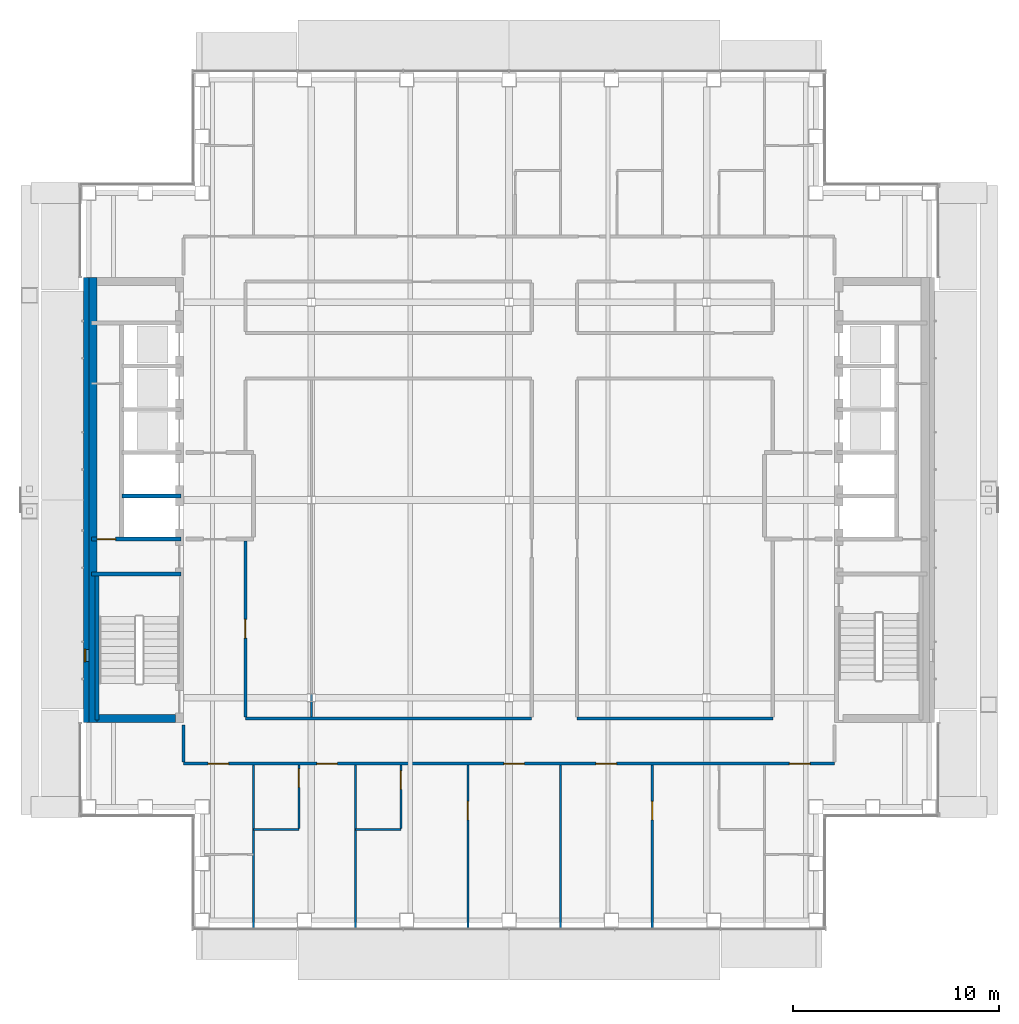
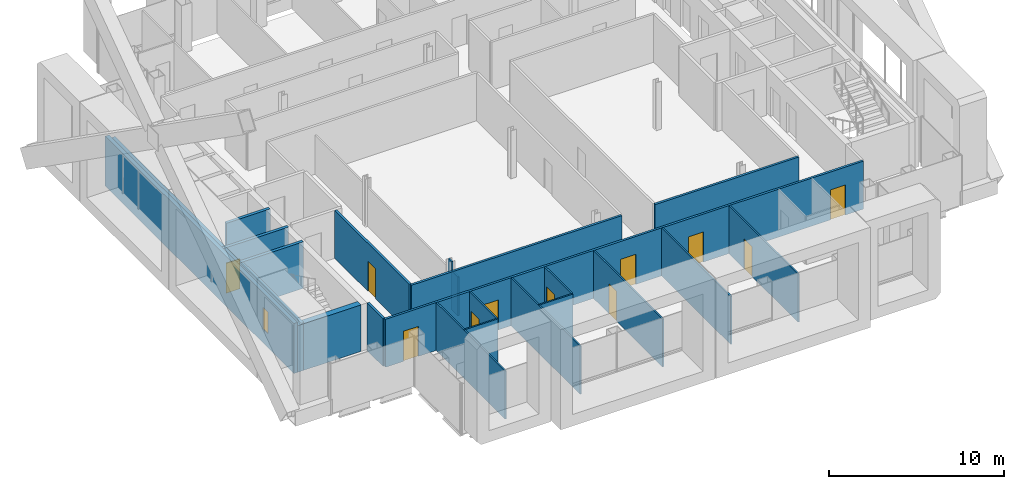
# One storey, part 11 of 21: 23 walls, 11 doors, 1 window, 12 openings.
"""IFC4 building model written with IfcOpenShell, lengths in metres."""

import ifcopenshell
import ifcopenshell.guid

model = None  # the IFC model being written
_history = None  # IfcOwnerHistory: only IFC2X3 demands one
_inside = {}  # id of a spatial element -> (the spatial element, [elements in it])
_under = {}  # id of a project, library or spatial element -> (it, [spatial elements below it])
_declared = {}  # id of a project -> (the project, [libraries it declares])
_typed = {}  # id of a type object -> (the type object, [elements of that type])
_made_of = {}  # id of a material, layer set ... -> (it, [elements and type objects made of it])


def new_model(schema):
    """Start an empty IFC model of exactly this schema.

    Asked for "IFC4X3", IfcOpenShell would pick the latest addendum, in which some entities
    have other attributes; the version numbers below select the first issue.
    IFC2X3 requires an IfcOwnerHistory on every rooted entity: one is made here for all.
    """
    global model, _history
    if schema == "IFC4X3":
        model = ifcopenshell.file(schema_version=(4, 3, 0, 0))
    else:
        model = ifcopenshell.file(schema=schema)
    _inside.clear()
    _under.clear()
    _declared.clear()
    _typed.clear()
    _made_of.clear()
    _history = None
    if model.schema == "IFC2X3":
        org = make("IfcOrganization", Name="unknown")
        user = make(
            "IfcPersonAndOrganization",
            ThePerson=make("IfcPerson", FamilyName="unknown"),
            TheOrganization=org,
        )
        app = make(
            "IfcApplication",
            ApplicationDeveloper=org,
            Version="unknown",
            ApplicationFullName="unknown",
            ApplicationIdentifier="unknown",
        )
        _history = make(
            "IfcOwnerHistory",
            OwningUser=user,
            OwningApplication=app,
            ChangeAction="ADDED",
            CreationDate=0,
        )
    return model


def make(cls, **values):
    """One entity of the class cls with the attributes given. An attribute that is None is left unset."""
    return model.create_entity(
        cls, **{name: value for name, value in values.items() if value is not None}
    )


def rooted(cls, **values):
    """An entity with a GlobalId (a new one), such as an element, a storey or a relation."""
    return make(cls, GlobalId=ifcopenshell.guid.new(), OwnerHistory=_history, **values)


def si_unit(unit_type, name, prefix=None):
    """IfcSIUnit, for example si_unit("LENGTHUNIT", "METRE", prefix="MILLI")."""
    return make("IfcSIUnit", UnitType=unit_type, Prefix=prefix, Name=name)


def assignment(units):
    """IfcUnitAssignment: the units of a project."""
    return None if units is None else make("IfcUnitAssignment", Units=units)


def point(xyz):
    """IfcCartesianPoint."""
    return None if xyz is None else make("IfcCartesianPoint", Coordinates=xyz)


def direction(xyz):
    """IfcDirection."""
    return None if xyz is None else make("IfcDirection", DirectionRatios=xyz)


def frame(location, z_axis=None, x_axis=None):
    """IfcAxis2Placement3D, a coordinate frame: its origin and axes. An axis left out is left unset."""
    return make(
        "IfcAxis2Placement3D",
        Location=point(location),
        Axis=direction(z_axis),
        RefDirection=direction(x_axis),
    )


def frame_2d(location, x_axis=None):
    """IfcAxis2Placement2D, a coordinate frame in the plane: its origin and x axis."""
    return make(
        "IfcAxis2Placement2D", Location=point(location), RefDirection=direction(x_axis)
    )


def origin():
    """The frame at (0, 0, 0) with its axes left unset."""
    return frame((0.0, 0.0, 0.0))


def place(relative_to, where):
    """IfcLocalPlacement: puts the frame where relative to a parent placement (None: the world)."""
    return make(
        "IfcLocalPlacement", PlacementRelTo=relative_to, RelativePlacement=where
    )


def context(
    kind, dimensions, precision=None, world=None, true_north=None, identifier=None
):
    """IfcGeometricRepresentationContext, for example the 3D "Model" context."""
    return make(
        "IfcGeometricRepresentationContext",
        ContextIdentifier=identifier,
        ContextType=kind,
        CoordinateSpaceDimension=dimensions,
        Precision=precision,
        WorldCoordinateSystem=world,
        TrueNorth=true_north,
    )


def subcontext(parent, identifier, kind, view, scale=None):
    """IfcGeometricRepresentationSubContext, for example "Body" below "Model"."""
    return make(
        "IfcGeometricRepresentationSubContext",
        ContextIdentifier=identifier,
        ContextType=kind,
        ParentContext=parent,
        TargetScale=scale,
        TargetView=view,
    )


def project(units=None, contexts=None):
    """IfcProject with its units and contexts."""
    return rooted(
        "IfcProject",
        Name="project",
        RepresentationContexts=contexts,
        UnitsInContext=assignment(units),
    )


def spatial(cls, under=None, at=None, **own):
    """A site, building, storey or space (cls), placed at a placement, below another one or the project."""
    s = rooted(cls, ObjectPlacement=at, **own)
    if under is not None:
        _under.setdefault(under.id(), (under, []))[1].append(s)
    return s


def profile(cls, at=None, kind="AREA", **sizes):
    """A parametric profile (cls). Its sizes go by their IFC names, for example OverallWidth=200.0."""
    return make(cls, ProfileType=kind, Position=at, **sizes)


def rectangle(**sizes):
    """IfcRectangleProfileDef."""
    return profile("IfcRectangleProfileDef", **sizes)


def extrude(swept, where, along, depth):
    """IfcExtrudedAreaSolid: the profile swept, set in the frame where, extruded along a direction by depth."""
    return make(
        "IfcExtrudedAreaSolid",
        SweptArea=swept,
        Position=where,
        ExtrudedDirection=direction(along),
        Depth=depth,
    )


def shape(context_of_items, identifier, shape_type, items):
    """IfcShapeRepresentation: the items that make up one representation, for example the "Body"."""
    return make(
        "IfcShapeRepresentation",
        ContextOfItems=context_of_items,
        RepresentationIdentifier=identifier,
        RepresentationType=shape_type,
        Items=items,
    )


def material(Name=None, Category=None):
    """IfcMaterial."""
    return make("IfcMaterial", Name=Name, Category=Category)


def layer(
    of_material, thickness, ventilated=None, Name=None, Category=None, Priority=None
):
    """IfcMaterialLayer: one layer of a wall or slab, of a material (None: an air gap)."""
    return make(
        "IfcMaterialLayer",
        Material=of_material,
        LayerThickness=thickness,
        IsVentilated=ventilated,
        Name=Name,
        Category=Category,
        Priority=Priority,
    )


def layer_set(layers, Name=None):
    """IfcMaterialLayerSet."""
    return make("IfcMaterialLayerSet", MaterialLayers=layers, LayerSetName=Name)


def made_of(thing, what):
    """Note that an element or type object is made of a material, layer set ...; save() writes the relation."""
    if what is not None:
        _made_of.setdefault(what.id(), (what, []))[1].append(thing)
    return thing


def type_object(cls, material=None, **own):
    """A type object (cls), such as IfcWallType, which elements share."""
    return made_of(rooted(cls, **own), material)


def element(
    cls,
    number,
    at=None,
    inside=None,
    cuts=None,
    type_object=None,
    material=None,
    context=None,
    identifier="Body",
    shape_type=None,
    held_by="IfcProductDefinitionShape",
    body=None,
    shapes=None,
    **own,
):
    """One element of the class cls, such as IfcWall. Its Tag is "e" and its number.

    at: its placement. inside: the storey or other place that contains it. cuts: it is an
    opening in that element (IfcRelVoidsElement). A single representation is given by context,
    identifier, shape_type and body (its items); several are given by shapes. held_by: the class
    of the entity that holds the representations. save() writes the other relations.
    """
    e = rooted(cls, Tag="e%d" % number, ObjectPlacement=at, **own)
    if body is not None:
        shapes = [shape(context, identifier, shape_type, body)]
    if shapes is not None:
        e.Representation = make(held_by, Representations=shapes)
    if inside is not None:
        _inside.setdefault(inside.id(), (inside, []))[1].append(e)
    if cuts is not None:
        rooted(
            "IfcRelVoidsElement", RelatingBuildingElement=cuts, RelatedOpeningElement=e
        )
    if type_object is not None:
        _typed.setdefault(type_object.id(), (type_object, []))[1].append(e)
    return made_of(e, material)


def fill(opening, filler):
    """IfcRelFillsElement: the door or window that sits in an opening."""
    return rooted(
        "IfcRelFillsElement",
        RelatingOpeningElement=opening,
        RelatedBuildingElement=filler,
    )


def aggregate(whole, parts):
    """IfcRelAggregates: a whole, such as a stair, and the parts it consists of."""
    return rooted("IfcRelAggregates", RelatingObject=whole, RelatedObjects=parts)


def save(model, path):
    """Write the relations noted so far, then the file.

    IfcRelAggregates (storeys below a building ...), IfcRelContainedInSpatialStructure (elements
    in a storey), IfcRelDefinesByType, IfcRelAssociatesMaterial and IfcRelDeclares: one each for
    every whole, place, type object, material and project.
    """
    for whole, parts in _under.values():
        aggregate(whole, parts)
    for where, things in _inside.values():
        rooted(
            "IfcRelContainedInSpatialStructure",
            RelatedElements=things,
            RelatingStructure=where,
        )
    for kind, things in _typed.values():
        rooted("IfcRelDefinesByType", RelatedObjects=things, RelatingType=kind)
    for what, things in _made_of.values():
        rooted("IfcRelAssociatesMaterial", RelatedObjects=things, RelatingMaterial=what)
    for by, libraries in _declared.values():
        rooted("IfcRelDeclares", RelatingContext=by, RelatedDefinitions=libraries)
    model.write(path)


model = new_model("IFC4")

# Units and contexts
model_context = context("Model", 3, precision=1e-05, world=origin(), true_north=direction((0.0, 1.0)))
body_context = subcontext(model_context, "Body", "Model", "MODEL_VIEW")
ifc_project = project(units=[si_unit("LENGTHUNIT", "METRE"), si_unit("AREAUNIT", "SQUARE_METRE"), si_unit("VOLUMEUNIT", "CUBIC_METRE"), si_unit("PLANEANGLEUNIT", "RADIAN"), si_unit("MASSUNIT", "GRAM", prefix="KILO")], contexts=[model_context])

# Site, building, storey
site_placement = place(None, origin())
site = spatial("IfcSite", under=ifc_project, at=site_placement, CompositionType="ELEMENT")
building_placement = place(site_placement, origin())
building = spatial("IfcBuilding", under=site, at=building_placement, Name="Cobrizo Arcos Hotel Tower", CompositionType="ELEMENT")
storey_placement = place(building_placement, frame((0.0, 0.0, 212.0)))
storey = spatial("IfcBuildingStorey", under=building, at=storey_placement, Name="L55", CompositionType="ELEMENT", Elevation=212.0)

# Wall, openings, doors
ifc_material_1 = material(Name="Gypsum board partition")
ifc_layer_1 = layer(ifc_material_1, 0.14990234375)
ifc_layer_set_1 = layer_set([ifc_layer_1], Name="Corridor wall EI 60 150")
wall_type_1 = type_object("IfcWallType", Name="Corridor wall EI 60 150", PredefinedType="PARTITIONING", material=ifc_layer_set_1)
wall_1_placement = place(storey_placement, frame((-15.800048828125, -12.800048828125, 0.0), z_axis=(0.0, 0.0, 1.0), x_axis=(1.0, 0.0, 0.0)))
wall_1 = element("IfcWall", 1, at=wall_1_placement, inside=storey, type_object=wall_type_1, Name="Partition 006", PredefinedType="PARTITIONING", context=body_context, shape_type="SweptSolid", body=[
    extrude(rectangle(XDim=31.60009765625, YDim=0.14990234375, at=frame_2d((15.800048828125, 0.0))), origin(), (0.0, 0.0, 1.0), 3.35009765625),
])
opening_1_placement = place(wall_1_placement, frame((6.466064453125, 0.0, 0.0)))
opening_1 = element("IfcOpeningElement", 2, at=opening_1_placement, cuts=wall_1, Name="Opening GD-04", PredefinedType="OPENING", context=body_context, shape_type="SweptSolid", body=[
    extrude(rectangle(XDim=1.0, YDim=2.10009765625, at=frame_2d((0.5, 1.050048828125))), frame((0.0, 0.0869140625, 0.0), z_axis=(0.0, -1.0, 0.0), x_axis=(1.0, 0.0, 0.0)), (0.0, 0.0, 1.0), 0.173828125),
])
opening_2_placement = place(wall_1_placement, frame((15.548095703125, 0.0, 0.0)))
opening_2 = element("IfcOpeningElement", 3, at=opening_2_placement, cuts=wall_1, Name="Opening GD-05", PredefinedType="OPENING", context=body_context, shape_type="SweptSolid", body=[
    extrude(rectangle(XDim=1.0, YDim=2.10009765625, at=frame_2d((0.5, 1.050048828125))), frame((0.0, 0.0869140625, 0.0), z_axis=(0.0, -1.0, 0.0), x_axis=(1.0, 0.0, 0.0)), (0.0, 0.0, 1.0), 0.173828125),
])
opening_3_placement = place(wall_1_placement, frame((20.01806640625, 0.0, 0.0)))
opening_3 = element("IfcOpeningElement", 4, at=opening_3_placement, cuts=wall_1, Name="Opening GD-06", PredefinedType="OPENING", context=body_context, shape_type="SweptSolid", body=[
    extrude(rectangle(XDim=1.0, YDim=2.10009765625, at=frame_2d((0.5, 1.050048828125))), frame((0.0, 0.0869140625, 0.0), z_axis=(0.0, -1.0, 0.0), x_axis=(1.0, 0.0, 0.0)), (0.0, 0.0, 1.0), 0.173828125),
])
opening_4_placement = place(wall_1_placement, frame((1.19189453125, 0.0, 0.0)))
opening_4 = element("IfcOpeningElement", 5, at=opening_4_placement, cuts=wall_1, Name="Opening GD-07", PredefinedType="OPENING", context=body_context, shape_type="SweptSolid", body=[
    extrude(rectangle(XDim=1.0, YDim=2.10009765625, at=frame_2d((0.5, 1.050048828125))), frame((0.0, 0.0869140625, 0.0), z_axis=(0.0, -1.0, 0.0), x_axis=(1.0, 0.0, 0.0)), (0.0, 0.0, 1.0), 0.173828125),
])
opening_5_placement = place(wall_1_placement, frame((29.408935546875, 0.0, 0.0)))
opening_5 = element("IfcOpeningElement", 6, at=opening_5_placement, cuts=wall_1, Name="Opening GD-09", PredefinedType="OPENING", context=body_context, shape_type="SweptSolid", body=[
    extrude(rectangle(XDim=1.0, YDim=2.10009765625, at=frame_2d((0.5, 1.050048828125))), frame((0.0, 0.0869140625, 0.0), z_axis=(0.0, -1.0, 0.0), x_axis=(1.0, 0.0, 0.0)), (0.0, 0.0, 1.0), 0.173828125),
])
ifc_material_2 = material(Name="Timber door leaf", Category="wood")
door_type_1 = type_object("IfcDoorType", Name="Guest room door FD30S 1000x2100", OperationType="SINGLE_SWING_LEFT", PredefinedType="DOOR", material=ifc_material_2)
door_1_placement = place(opening_1_placement, origin())
door_1 = element("IfcDoor", 7, at=door_1_placement, inside=storey, type_object=door_type_1, Name="Door GD-04", OperationType="SINGLE_SWING_LEFT", OverallHeight=2.10009765625, OverallWidth=1.0, PredefinedType="DOOR", context=body_context, shape_type="SweptSolid", body=[
    extrude(rectangle(XDim=1.0, YDim=2.10009765625, at=frame_2d((0.5, 1.050048828125))), frame((0.0, 0.02490234375, 0.0), z_axis=(0.0, -1.0, 0.0), x_axis=(1.0, 0.0, 0.0)), (0.0, 0.0, 1.0), 0.050048828125),
])
fill(opening_1, door_1)
door_2_placement = place(opening_2_placement, origin())
door_2 = element("IfcDoor", 8, at=door_2_placement, inside=storey, type_object=door_type_1, Name="Door GD-05", OperationType="SINGLE_SWING_RIGHT", OverallHeight=2.10009765625, OverallWidth=1.0, PredefinedType="DOOR", context=body_context, shape_type="SweptSolid", body=[
    extrude(rectangle(XDim=1.0, YDim=2.10009765625, at=frame_2d((0.5, 1.050048828125))), frame((0.0, 0.02490234375, 0.0), z_axis=(0.0, -1.0, 0.0), x_axis=(1.0, 0.0, 0.0)), (0.0, 0.0, 1.0), 0.050048828125),
])
fill(opening_2, door_2)
door_3_placement = place(opening_3_placement, origin())
door_3 = element("IfcDoor", 9, at=door_3_placement, inside=storey, type_object=door_type_1, Name="Door GD-06", OperationType="SINGLE_SWING_LEFT", OverallHeight=2.10009765625, OverallWidth=1.0, PredefinedType="DOOR", context=body_context, shape_type="SweptSolid", body=[
    extrude(rectangle(XDim=1.0, YDim=2.10009765625, at=frame_2d((0.5, 1.050048828125))), frame((0.0, 0.02490234375, 0.0), z_axis=(0.0, -1.0, 0.0), x_axis=(1.0, 0.0, 0.0)), (0.0, 0.0, 1.0), 0.050048828125),
])
fill(opening_3, door_3)
door_4_placement = place(opening_4_placement, origin())
door_4 = element("IfcDoor", 10, at=door_4_placement, inside=storey, type_object=door_type_1, Name="Door GD-07", OperationType="SINGLE_SWING_RIGHT", OverallHeight=2.10009765625, OverallWidth=1.0, PredefinedType="DOOR", context=body_context, shape_type="SweptSolid", body=[
    extrude(rectangle(XDim=1.0, YDim=2.10009765625, at=frame_2d((0.5, 1.050048828125))), frame((0.0, 0.02490234375, 0.0), z_axis=(0.0, -1.0, 0.0), x_axis=(1.0, 0.0, 0.0)), (0.0, 0.0, 1.0), 0.050048828125),
])
fill(opening_4, door_4)
door_5_placement = place(opening_5_placement, origin())
door_5 = element("IfcDoor", 11, at=door_5_placement, inside=storey, type_object=door_type_1, Name="Door GD-09", OperationType="SINGLE_SWING_LEFT", OverallHeight=2.10009765625, OverallWidth=1.0, PredefinedType="DOOR", context=body_context, shape_type="SweptSolid", body=[
    extrude(rectangle(XDim=1.0, YDim=2.10009765625, at=frame_2d((0.5, 1.050048828125))), frame((0.0, 0.02490234375, 0.0), z_axis=(0.0, -1.0, 0.0), x_axis=(1.0, 0.0, 0.0)), (0.0, 0.0, 1.0), 0.050048828125),
])
fill(opening_5, door_5)

# Walls
wall_2_placement = place(storey_placement, frame((-12.800048828125, -10.60009765625, 0.0), z_axis=(0.0, 0.0, 1.0), x_axis=(1.0, 0.0, 0.0)))
element("IfcWall", 12, at=wall_2_placement, inside=storey, type_object=wall_type_1, Name="Partition 007", PredefinedType="PARTITIONING", context=body_context, shape_type="SweptSolid", body=[
    extrude(rectangle(XDim=13.900146484375, YDim=0.14990234375, at=frame_2d((6.9501953125, 0.0))), origin(), (0.0, 0.0, 1.0), 3.35009765625),
])
wall_3_placement = place(storey_placement, frame((3.300048828125, -10.60009765625, 0.0), z_axis=(0.0, 0.0, 1.0), x_axis=(1.0, 0.0, 0.0)))
element("IfcWall", 13, at=wall_3_placement, inside=storey, type_object=wall_type_1, Name="Partition 008", PredefinedType="PARTITIONING", context=body_context, shape_type="SweptSolid", body=[
    extrude(rectangle(XDim=9.5, YDim=0.14990234375, at=frame_2d((4.75, 0.0))), origin(), (0.0, 0.0, 1.0), 3.35009765625),
])
wall_4_placement = place(storey_placement, frame((-15.800048828125, -12.72509765625, 0.0), z_axis=(0.0, 0.0, 1.0), x_axis=(0.0, 1.0, 0.0)))
element("IfcWall", 14, at=wall_4_placement, inside=storey, type_object=wall_type_1, Name="Partition 043", PredefinedType="PARTITIONING", context=body_context, shape_type="SweptSolid", body=[
    extrude(rectangle(XDim=1.80517578125, YDim=0.14990234375, at=frame_2d((0.902587890625, 0.0))), origin(), (0.0, 0.0, 1.0), 3.35009765625),
])

# Wall, opening, door
wall_5_placement = place(storey_placement, frame((-12.800048828125, -10.52490234375, 0.0), z_axis=(0.0, 0.0, 1.0), x_axis=(0.0, 1.0, 0.0)))
wall_5 = element("IfcWall", 15, at=wall_5_placement, inside=storey, type_object=wall_type_1, Name="Partition 045", PredefinedType="PARTITIONING", context=body_context, shape_type="SweptSolid", body=[
    extrude(rectangle(XDim=8.52490234375, YDim=0.14990234375, at=frame_2d((4.262451171875, 0.0))), origin(), (0.0, 0.0, 1.0), 3.35009765625),
])
opening_6_placement = place(wall_5_placement, frame((3.824951171875, 0.0, 0.0)))
opening_6 = element("IfcOpeningElement", 16, at=opening_6_placement, cuts=wall_5, Name="Opening RD-11", PredefinedType="OPENING", context=body_context, shape_type="SweptSolid", body=[
    extrude(rectangle(XDim=0.89990234375, YDim=2.10009765625, at=frame_2d((0.449951171875, 1.050048828125))), frame((0.0, 0.0869140625, 0.0), z_axis=(0.0, -1.0, 0.0), x_axis=(1.0, 0.0, 0.0)), (0.0, 0.0, 1.0), 0.173828125),
])
door_type_2 = type_object("IfcDoorType", Name="Room door FD30 900x2100", OperationType="SINGLE_SWING_LEFT", PredefinedType="DOOR", material=ifc_material_2)
door_6_placement = place(opening_6_placement, origin())
door_6 = element("IfcDoor", 17, at=door_6_placement, inside=storey, type_object=door_type_2, Name="Door RD-11", OperationType="SINGLE_SWING_LEFT", OverallHeight=2.10009765625, OverallWidth=0.89990234375, PredefinedType="DOOR", context=body_context, shape_type="SweptSolid", body=[
    extrude(rectangle(XDim=0.89990234375, YDim=2.10009765625, at=frame_2d((0.449951171875, 1.050048828125))), frame((0.0, 0.02490234375, 0.0), z_axis=(0.0, -1.0, 0.0), x_axis=(1.0, 0.0, 0.0)), (0.0, 0.0, 1.0), 0.050048828125),
])
fill(opening_6, door_6)

# Wall, opening, window
ifc_material_3 = material(Name="Aluminium composite panel pale metal", Category="aluminium")
ifc_layer_2 = layer(ifc_material_3, 0.25)
ifc_layer_set_2 = layer_set([ifc_layer_2], Name="EW-1 insulated panel wall 250")
wall_type_2 = type_object("IfcWallType", Name="EW-1 insulated panel wall 250", PredefinedType="SOLIDWALL", material=ifc_layer_set_2)
wall_6_placement = place(storey_placement, frame((-20.52490234375, 10.800048828125, 0.0), z_axis=(0.0, 0.0, 1.0), x_axis=(0.0, -1.0, 0.0)))
wall_6 = element("IfcWall", 18, at=wall_6_placement, inside=storey, type_object=wall_type_2, Name="Core face wall L55 W", PredefinedType="SOLIDWALL", context=body_context, shape_type="SweptSolid", body=[
    extrude(rectangle(XDim=21.60009765625, YDim=0.25, at=frame_2d((10.800048828125, 0.0))), origin(), (0.0, 0.0, 1.0), 3.5),
])
opening_7_placement = place(wall_6_placement, frame((18.050048828125, 0.0, 1.0)))
opening_7 = element("IfcOpeningElement", 19, at=opening_7_placement, cuts=wall_6, Name="Opening W-124", PredefinedType="OPENING", context=body_context, shape_type="SweptSolid", body=[
    extrude(rectangle(XDim=0.60009765625, YDim=1.5, at=frame_2d((0.300048828125, 0.75))), frame((0.0, 0.136962890625, 0.0), z_axis=(0.0, -1.0, 0.0), x_axis=(1.0, 0.0, 0.0)), (0.0, 0.0, 1.0), 0.27392578125),
])
ifc_material_4 = material(Name="Aluminium 6063-T6 and clear laminated glass", Category="aluminium")
window_type = type_object("IfcWindowType", Name="W-C1 core stair slot window 600x1500", PartitioningType="SINGLE_PANEL", PredefinedType="WINDOW", material=ifc_material_4)
window_placement = place(opening_7_placement, origin())
window = element("IfcWindow", 20, at=window_placement, inside=storey, type_object=window_type, Name="Core face wall L55 W window W-124", OverallHeight=1.5, OverallWidth=0.60009765625, PartitioningType="SINGLE_PANEL", PredefinedType="WINDOW", context=body_context, shape_type="SweptSolid", body=[
    extrude(rectangle(XDim=0.60009765625, YDim=1.5, at=frame_2d((0.300048828125, 0.75))), frame((0.0, -0.034912109375, 0.0), z_axis=(0.0, -1.0, 0.0), x_axis=(1.0, 0.0, 0.0)), (0.0, 0.0, 1.0), 0.06005859375),
])
fill(opening_7, window)

# Walls
ifc_layer_3 = layer(ifc_material_1, 0.10009765625)
ifc_layer_set_3 = layer_set([ifc_layer_3], Name="Partition EI 30 100")
wall_type_3 = type_object("IfcWallType", Name="Partition EI 30 100", PredefinedType="PARTITIONING", material=ifc_layer_set_3)
for number, where, z_axis, x_axis, name in (
    (21, (-12.39990234375, -16.0, 0.0), (0.0, 0.0, 1.0), (1.0, 0.0, 0.0), "Partition 003"),
    (22, (-7.449951171875, -16.0, 0.0), (0.0, 0.0, 1.0), (1.0, 0.0, 0.0), "Partition 004"),
):
    element("IfcWall", number, at=place(storey_placement, frame(where, z_axis=z_axis, x_axis=x_axis)), inside=storey, type_object=wall_type_3, Name=name, PredefinedType="PARTITIONING", context=body_context, shape_type="SweptSolid", body=[
        extrude(rectangle(XDim=2.199951171875, YDim=0.10009765625, at=frame_2d((1.10009765625, 0.0))), origin(), (0.0, 0.0, 1.0), 3.35009765625),
    ])
wall_7_placement = place(storey_placement, frame((-12.39990234375, -20.780029296875, 0.0), z_axis=(0.0, 0.0, 1.0), x_axis=(0.0, 1.0, 0.0)))
element("IfcWall", 23, at=wall_7_placement, inside=storey, type_object=wall_type_3, Name="Partition 048", PredefinedType="PARTITIONING", context=body_context, shape_type="SweptSolid", body=[
    extrude(rectangle(XDim=7.905029296875, YDim=0.10009765625, at=frame_2d((3.95263671875, 0.0))), origin(), (0.0, 0.0, 1.0), 3.35009765625),
])

# Wall, opening, door
wall_8_placement = place(storey_placement, frame((-10.199951171875, -15.949951171875, 0.0), z_axis=(0.0, 0.0, 1.0), x_axis=(0.0, 1.0, 0.0)))
wall_8 = element("IfcWall", 24, at=wall_8_placement, inside=storey, type_object=wall_type_3, Name="Partition 051", PredefinedType="PARTITIONING", context=body_context, shape_type="SweptSolid", body=[
    extrude(rectangle(XDim=3.074951171875, YDim=0.10009765625, at=frame_2d((1.53759765625, 0.0))), origin(), (0.0, 0.0, 1.0), 3.35009765625),
])
opening_8_placement = place(wall_8_placement, frame((1.99609375, 0.0, 0.0)))
opening_8 = element("IfcOpeningElement", 25, at=opening_8_placement, cuts=wall_8, Name="Opening ED-05", PredefinedType="OPENING", context=body_context, shape_type="SweptSolid", body=[
    extrude(rectangle(XDim=0.89990234375, YDim=2.10009765625, at=frame_2d((0.449951171875, 1.050048828125))), frame((0.0, 0.06201171875, 0.0), z_axis=(0.0, -1.0, 0.0), x_axis=(1.0, 0.0, 0.0)), (0.0, 0.0, 1.0), 0.1240234375),
])
door_type_3 = type_object("IfcDoorType", Name="En-suite door 900x2100", OperationType="SINGLE_SWING_LEFT", PredefinedType="DOOR", material=ifc_material_2)
door_7_placement = place(opening_8_placement, origin())
door_7 = element("IfcDoor", 26, at=door_7_placement, inside=storey, type_object=door_type_3, Name="Door ED-05", OperationType="SINGLE_SWING_LEFT", OverallHeight=2.10009765625, OverallWidth=0.89990234375, PredefinedType="DOOR", context=body_context, shape_type="SweptSolid", body=[
    extrude(rectangle(XDim=0.89990234375, YDim=2.10009765625, at=frame_2d((0.449951171875, 1.050048828125))), frame((0.0, 0.02490234375, 0.0), z_axis=(0.0, -1.0, 0.0), x_axis=(1.0, 0.0, 0.0)), (0.0, 0.0, 1.0), 0.050048828125),
])
fill(opening_8, door_7)

# Walls
wall_9_placement = place(storey_placement, frame((-9.60009765625, -10.52490234375, 0.0), z_axis=(0.0, 0.0, 1.0), x_axis=(0.0, 1.0, 0.0)))
element("IfcWall", 27, at=wall_9_placement, inside=storey, type_object=wall_type_3, Name="Partition 052", PredefinedType="PARTITIONING", context=body_context, shape_type="SweptSolid", body=[
    extrude(rectangle(XDim=0.73779296875, YDim=0.10009765625, at=frame_2d((0.368896484375, 0.0))), origin(), (0.0, 0.0, 1.0), 2.72802734375),
])
wall_10_placement = place(storey_placement, frame((-9.60009765625, -9.787109375, 0.0), z_axis=(0.0, 0.0, 1.0), x_axis=(0.0, 1.0, 0.0)))
element("IfcWall", 28, at=wall_10_placement, inside=storey, type_object=wall_type_3, Name="Partition 053", PredefinedType="PARTITIONING", context=body_context, shape_type="SweptSolid", body=[
    extrude(rectangle(XDim=0.3740234375, YDim=0.10009765625, at=frame_2d((0.18701171875, 0.0))), origin(), (0.0, 0.0, 1.0), 3.35009765625),
])
wall_11_placement = place(storey_placement, frame((-7.449951171875, -20.780029296875, 0.0), z_axis=(0.0, 0.0, 1.0), x_axis=(0.0, 1.0, 0.0)))
element("IfcWall", 29, at=wall_11_placement, inside=storey, type_object=wall_type_3, Name="Partition 057", PredefinedType="PARTITIONING", context=body_context, shape_type="SweptSolid", body=[
    extrude(rectangle(XDim=7.905029296875, YDim=0.10009765625, at=frame_2d((3.95263671875, 0.0))), origin(), (0.0, 0.0, 1.0), 3.35009765625),
])

# Wall, opening, door
wall_12_placement = place(storey_placement, frame((-5.25, -15.949951171875, 0.0), z_axis=(0.0, 0.0, 1.0), x_axis=(0.0, 1.0, 0.0)))
wall_12 = element("IfcWall", 30, at=wall_12_placement, inside=storey, type_object=wall_type_3, Name="Partition 059", PredefinedType="PARTITIONING", context=body_context, shape_type="SweptSolid", body=[
    extrude(rectangle(XDim=3.074951171875, YDim=0.10009765625, at=frame_2d((1.53759765625, 0.0))), origin(), (0.0, 0.0, 1.0), 3.35009765625),
])
opening_9_placement = place(wall_12_placement, frame((1.89990234375, 0.0, 0.0)))
opening_9 = element("IfcOpeningElement", 31, at=opening_9_placement, cuts=wall_12, Name="Opening ED-06", PredefinedType="OPENING", context=body_context, shape_type="SweptSolid", body=[
    extrude(rectangle(XDim=0.89990234375, YDim=2.10009765625, at=frame_2d((0.449951171875, 1.050048828125))), frame((0.0, 0.06201171875, 0.0), z_axis=(0.0, -1.0, 0.0), x_axis=(1.0, 0.0, 0.0)), (0.0, 0.0, 1.0), 0.1240234375),
])
door_8_placement = place(opening_9_placement, origin())
door_8 = element("IfcDoor", 32, at=door_8_placement, inside=storey, type_object=door_type_3, Name="Door ED-06", OperationType="SINGLE_SWING_LEFT", OverallHeight=2.10009765625, OverallWidth=0.89990234375, PredefinedType="DOOR", context=body_context, shape_type="SweptSolid", body=[
    extrude(rectangle(XDim=0.89990234375, YDim=2.10009765625, at=frame_2d((0.449951171875, 1.050048828125))), frame((0.0, 0.02490234375, 0.0), z_axis=(0.0, -1.0, 0.0), x_axis=(1.0, 0.0, 0.0)), (0.0, 0.0, 1.0), 0.050048828125),
])
fill(opening_9, door_8)

wall_13_placement = place(storey_placement, frame((-2.0, -20.780029296875, 0.0), z_axis=(0.0, 0.0, 1.0), x_axis=(0.0, 1.0, 0.0)))
wall_13 = element("IfcWall", 33, at=wall_13_placement, inside=storey, type_object=wall_type_3, Name="Partition 061", PredefinedType="PARTITIONING", context=body_context, shape_type="SweptSolid", body=[
    extrude(rectangle(XDim=7.905029296875, YDim=0.10009765625, at=frame_2d((3.95263671875, 0.0))), origin(), (0.0, 0.0, 1.0), 3.35009765625),
])
opening_10_placement = place(wall_13_placement, frame((5.25, 0.0, 0.0)))
opening_10 = element("IfcOpeningElement", 34, at=opening_10_placement, cuts=wall_13, Name="Opening RD-08", PredefinedType="OPENING", context=body_context, shape_type="SweptSolid", body=[
    extrude(rectangle(XDim=0.89990234375, YDim=2.10009765625, at=frame_2d((0.449951171875, 1.050048828125))), frame((0.0, 0.06201171875, 0.0), z_axis=(0.0, -1.0, 0.0), x_axis=(1.0, 0.0, 0.0)), (0.0, 0.0, 1.0), 0.1240234375),
])
door_9_placement = place(opening_10_placement, origin())
door_9 = element("IfcDoor", 35, at=door_9_placement, inside=storey, type_object=door_type_2, Name="Door RD-08", OperationType="SINGLE_SWING_LEFT", OverallHeight=2.10009765625, OverallWidth=0.89990234375, PredefinedType="DOOR", context=body_context, shape_type="SweptSolid", body=[
    extrude(rectangle(XDim=0.89990234375, YDim=2.10009765625, at=frame_2d((0.449951171875, 1.050048828125))), frame((0.0, 0.02490234375, 0.0), z_axis=(0.0, -1.0, 0.0), x_axis=(1.0, 0.0, 0.0)), (0.0, 0.0, 1.0), 0.050048828125),
])
fill(opening_10, door_9)

# Wall
wall_14_placement = place(storey_placement, frame((2.5, -20.780029296875, 0.0), z_axis=(0.0, 0.0, 1.0), x_axis=(0.0, 1.0, 0.0)))
element("IfcWall", 36, at=wall_14_placement, inside=storey, type_object=wall_type_3, Name="Partition 065", PredefinedType="PARTITIONING", context=body_context, shape_type="SweptSolid", body=[
    extrude(rectangle(XDim=7.905029296875, YDim=0.10009765625, at=frame_2d((3.95263671875, 0.0))), origin(), (0.0, 0.0, 1.0), 3.35009765625),
])

# Wall, opening, door
wall_15_placement = place(storey_placement, frame((6.949951171875, -20.780029296875, 0.0), z_axis=(0.0, 0.0, 1.0), x_axis=(0.0, 1.0, 0.0)))
wall_15 = element("IfcWall", 37, at=wall_15_placement, inside=storey, type_object=wall_type_3, Name="Partition 070", PredefinedType="PARTITIONING", context=body_context, shape_type="SweptSolid", body=[
    extrude(rectangle(XDim=7.905029296875, YDim=0.10009765625, at=frame_2d((3.95263671875, 0.0))), origin(), (0.0, 0.0, 1.0), 3.35009765625),
])
opening_11_placement = place(wall_15_placement, frame((5.25, 0.0, 0.0)))
opening_11 = element("IfcOpeningElement", 38, at=opening_11_placement, cuts=wall_15, Name="Opening RD-09", PredefinedType="OPENING", context=body_context, shape_type="SweptSolid", body=[
    extrude(rectangle(XDim=0.89990234375, YDim=2.10009765625, at=frame_2d((0.449951171875, 1.050048828125))), frame((0.0, 0.06201171875, 0.0), z_axis=(0.0, -1.0, 0.0), x_axis=(1.0, 0.0, 0.0)), (0.0, 0.0, 1.0), 0.1240234375),
])
door_10_placement = place(opening_11_placement, origin())
door_10 = element("IfcDoor", 39, at=door_10_placement, inside=storey, type_object=door_type_2, Name="Door RD-09", OperationType="SINGLE_SWING_RIGHT", OverallHeight=2.10009765625, OverallWidth=0.89990234375, PredefinedType="DOOR", context=body_context, shape_type="SweptSolid", body=[
    extrude(rectangle(XDim=0.89990234375, YDim=2.10009765625, at=frame_2d((0.449951171875, 1.050048828125))), frame((0.0, 0.02490234375, 0.0), z_axis=(0.0, -1.0, 0.0), x_axis=(1.0, 0.0, 0.0)), (0.0, 0.0, 1.0), 0.050048828125),
])
fill(opening_11, door_10)

# Walls
ifc_material_5 = material(Name="Concrete f'c 40 MPa", Category="concrete")
ifc_layer_4 = layer(ifc_material_5, 0.39990234375)
ifc_layer_set_4 = layer_set([ifc_layer_4], Name="RC core wall 400 f'c 40")
wall_type_4 = type_object("IfcWallType", Name="RC core wall 400 f'c 40", PredefinedType="SHEAR", material=ifc_layer_set_4)
wall_16_placement = place(storey_placement, frame((-20.199951171875, -10.800048828125, 0.0), z_axis=(0.0, 0.0, 1.0), x_axis=(0.0, 1.0, 0.0)))
element("IfcWall", 40, at=wall_16_placement, inside=storey, type_object=wall_type_4, Name="Core wall CW4, west core, outer face, L55", PredefinedType="SHEAR", context=body_context, shape_type="SweptSolid", body=[
    extrude(rectangle(XDim=21.60009765625, YDim=0.39990234375, at=frame_2d((10.800048828125, 0.0))), origin(), (0.0, 0.0, 1.0), 3.25),
])
wall_17_placement = place(storey_placement, frame((-20.0, -10.60009765625, 0.0), z_axis=(0.0, 0.0, 1.0), x_axis=(1.0, 0.0, 0.0)))
element("IfcWall", 41, at=wall_17_placement, inside=storey, type_object=wall_type_4, Name="Core wall CW4, west core, south end, L55", PredefinedType="SHEAR", context=body_context, shape_type="SweptSolid", body=[
    extrude(rectangle(XDim=3.800048828125, YDim=0.39990234375, at=frame_2d((1.89990234375, 0.0))), origin(), (0.0, 0.0, 1.0), 3.25),
])

# Wall, opening, door
ifc_layer_5 = layer(ifc_material_1, 0.199951171875)
ifc_layer_set_5 = layer_set([ifc_layer_5], Name="Shaft wall EI 120 200")
wall_type_5 = type_object("IfcWallType", Name="Shaft wall EI 120 200", PredefinedType="PARTITIONING", material=ifc_layer_set_5)
wall_18_placement = place(storey_placement, frame((-20.280029296875, -1.89990234375, 0.0), z_axis=(0.0, 0.0, 1.0), x_axis=(1.0, 0.0, 0.0)))
wall_18 = element("IfcWall", 42, at=wall_18_placement, inside=storey, type_object=wall_type_5, Name="Partition 011", PredefinedType="PARTITIONING", context=body_context, shape_type="SweptSolid", body=[
    extrude(rectangle(XDim=4.360107421875, YDim=0.199951171875, at=frame_2d((2.18017578125, 0.0))), origin(), (0.0, 0.0, 1.0), 3.25),
])
opening_12_placement = place(wall_18_placement, frame((0.280029296875, 0.0, 0.0)))
opening_12 = element("IfcOpeningElement", 43, at=opening_12_placement, cuts=wall_18, Name="Opening RD-02", PredefinedType="OPENING", context=body_context, shape_type="SweptSolid", body=[
    extrude(rectangle(XDim=0.89990234375, YDim=2.10009765625, at=frame_2d((0.449951171875, 1.050048828125))), frame((0.0, 0.112060546875, 0.0), z_axis=(0.0, -1.0, 0.0), x_axis=(1.0, 0.0, 0.0)), (0.0, 0.0, 1.0), 0.223876953125),
])
door_11_placement = place(opening_12_placement, origin())
door_11 = element("IfcDoor", 44, at=door_11_placement, inside=storey, type_object=door_type_2, Name="Door RD-02", OperationType="SINGLE_SWING_RIGHT", OverallHeight=2.10009765625, OverallWidth=0.89990234375, PredefinedType="DOOR", context=body_context, shape_type="SweptSolid", body=[
    extrude(rectangle(XDim=0.89990234375, YDim=2.10009765625, at=frame_2d((0.449951171875, 1.050048828125))), frame((0.0, 0.02490234375, 0.0), z_axis=(0.0, -1.0, 0.0), x_axis=(1.0, 0.0, 0.0)), (0.0, 0.0, 1.0), 0.050048828125),
])
fill(opening_12, door_11)

# Walls
wall_19_placement = place(storey_placement, frame((-18.800048828125, 0.199951171875, 0.0), z_axis=(0.0, 0.0, 1.0), x_axis=(1.0, 0.0, 0.0)))
element("IfcWall", 45, at=wall_19_placement, inside=storey, type_object=wall_type_5, Name="Partition 015", PredefinedType="PARTITIONING", context=body_context, shape_type="SweptSolid", body=[
    extrude(rectangle(XDim=2.880126953125, YDim=0.199951171875, at=frame_2d((1.43994140625, 0.0))), origin(), (0.0, 0.0, 1.0), 3.25),
])
ifc_layer_6 = layer(ifc_material_5, 0.199951171875)
ifc_layer_set_6 = layer_set([ifc_layer_6], Name="Stair shaft wall 200")
wall_type_6 = type_object("IfcWallType", Name="Stair shaft wall 200", PredefinedType="SHEAR", material=ifc_layer_set_6)
wall_20_placement = place(storey_placement, frame((-20.280029296875, -3.60009765625, 0.0), z_axis=(0.0, 0.0, 1.0), x_axis=(1.0, 0.0, 0.0)))
element("IfcWall", 46, at=wall_20_placement, inside=storey, type_object=wall_type_6, Name="Stair shaft wall W", PredefinedType="SHEAR", context=body_context, shape_type="SweptSolid", body=[
    extrude(rectangle(XDim=4.360107421875, YDim=0.199951171875, at=frame_2d((2.18017578125, 0.0))), origin(), (0.0, 0.0, 1.0), 3.25),
])
wall_21_placement = place(storey_placement, frame((-20.0, -10.679931640625, 0.0), z_axis=(0.0, 0.0, 1.0), x_axis=(0.0, 1.0, 0.0)))
element("IfcWall", 47, at=wall_21_placement, inside=storey, type_object=wall_type_6, Name="Stair shaft wall W", PredefinedType="SHEAR", context=body_context, shape_type="SweptSolid", body=[
    extrude(rectangle(XDim=6.97998046875, YDim=0.199951171875, at=frame_2d((3.489990234375, 0.0))), origin(), (0.0, 0.0, 1.0), 3.25),
])

save(model, "model.ifc")
